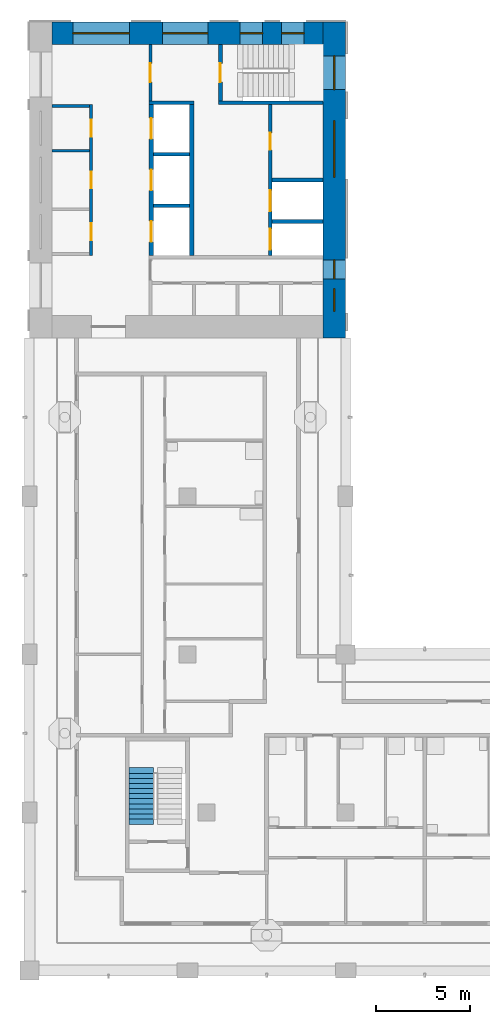
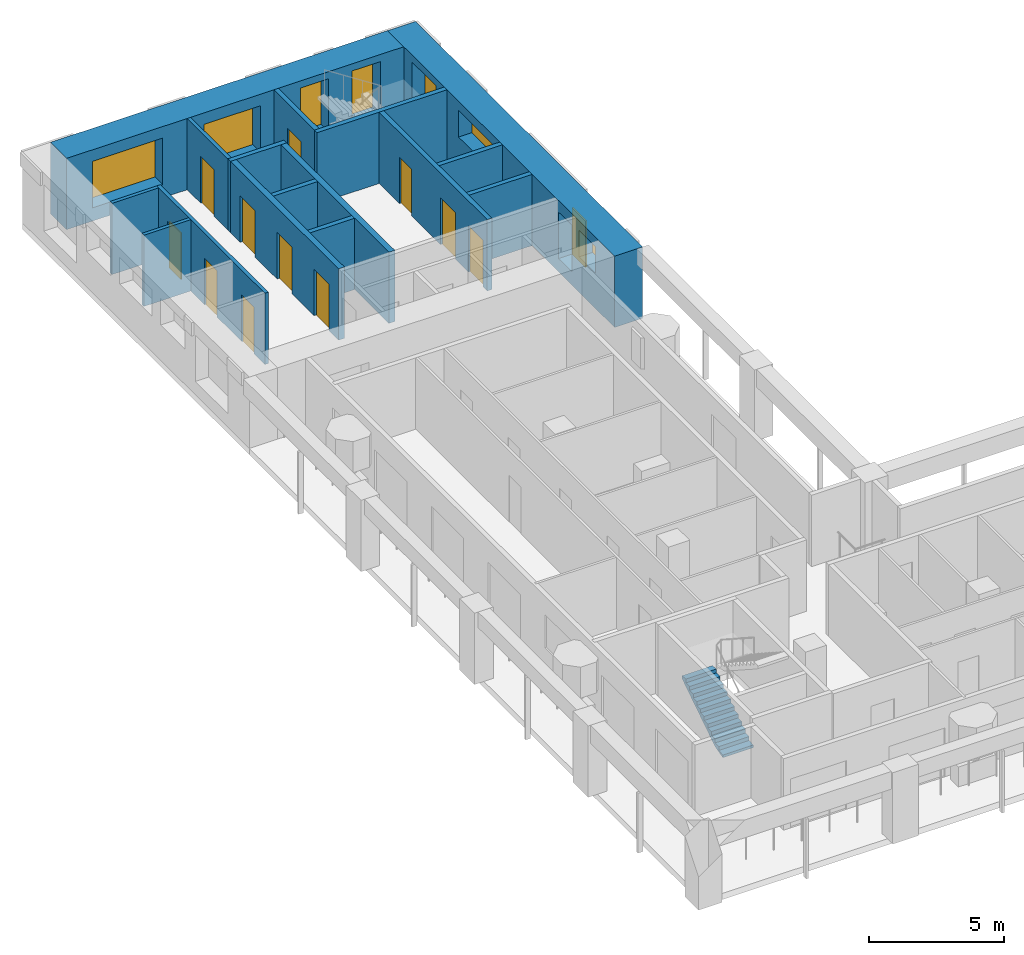
# One storey, part 6 of 12: 16 walls, 11 doors, 8 windows, 1 stair flight, 19 openings, 1 element without a shape of its own.
"""IFC4 building model written with IfcOpenShell, lengths in metres."""

import ifcopenshell
import ifcopenshell.guid

model = None  # the IFC model being written
_history = None  # IfcOwnerHistory: only IFC2X3 demands one
_inside = {}  # id of a spatial element -> (the spatial element, [elements in it])
_under = {}  # id of a project, library or spatial element -> (it, [spatial elements below it])
_declared = {}  # id of a project -> (the project, [libraries it declares])
_typed = {}  # id of a type object -> (the type object, [elements of that type])
_made_of = {}  # id of a material, layer set ... -> (it, [elements and type objects made of it])


def new_model(schema):
    """Start an empty IFC model of exactly this schema.

    Asked for "IFC4X3", IfcOpenShell would pick the latest addendum, in which some entities
    have other attributes; the version numbers below select the first issue.
    IFC2X3 requires an IfcOwnerHistory on every rooted entity: one is made here for all.
    """
    global model, _history
    if schema == "IFC4X3":
        model = ifcopenshell.file(schema_version=(4, 3, 0, 0))
    else:
        model = ifcopenshell.file(schema=schema)
    _inside.clear()
    _under.clear()
    _declared.clear()
    _typed.clear()
    _made_of.clear()
    _history = None
    if model.schema == "IFC2X3":
        org = make("IfcOrganization", Name="unknown")
        user = make(
            "IfcPersonAndOrganization",
            ThePerson=make("IfcPerson", FamilyName="unknown"),
            TheOrganization=org,
        )
        app = make(
            "IfcApplication",
            ApplicationDeveloper=org,
            Version="unknown",
            ApplicationFullName="unknown",
            ApplicationIdentifier="unknown",
        )
        _history = make(
            "IfcOwnerHistory",
            OwningUser=user,
            OwningApplication=app,
            ChangeAction="ADDED",
            CreationDate=0,
        )
    return model


def make(cls, **values):
    """One entity of the class cls with the attributes given. An attribute that is None is left unset."""
    return model.create_entity(
        cls, **{name: value for name, value in values.items() if value is not None}
    )


def rooted(cls, **values):
    """An entity with a GlobalId (a new one), such as an element, a storey or a relation."""
    return make(cls, GlobalId=ifcopenshell.guid.new(), OwnerHistory=_history, **values)


def si_unit(unit_type, name, prefix=None):
    """IfcSIUnit, for example si_unit("LENGTHUNIT", "METRE", prefix="MILLI")."""
    return make("IfcSIUnit", UnitType=unit_type, Prefix=prefix, Name=name)


def assignment(units):
    """IfcUnitAssignment: the units of a project."""
    return None if units is None else make("IfcUnitAssignment", Units=units)


def point(xyz):
    """IfcCartesianPoint."""
    return None if xyz is None else make("IfcCartesianPoint", Coordinates=xyz)


def direction(xyz):
    """IfcDirection."""
    return None if xyz is None else make("IfcDirection", DirectionRatios=xyz)


def frame(location, z_axis=None, x_axis=None):
    """IfcAxis2Placement3D, a coordinate frame: its origin and axes. An axis left out is left unset."""
    return make(
        "IfcAxis2Placement3D",
        Location=point(location),
        Axis=direction(z_axis),
        RefDirection=direction(x_axis),
    )


def frame_2d(location, x_axis=None):
    """IfcAxis2Placement2D, a coordinate frame in the plane: its origin and x axis."""
    return make(
        "IfcAxis2Placement2D", Location=point(location), RefDirection=direction(x_axis)
    )


def origin():
    """The frame at (0, 0, 0) with its axes left unset."""
    return frame((0.0, 0.0, 0.0))


def place(relative_to, where):
    """IfcLocalPlacement: puts the frame where relative to a parent placement (None: the world)."""
    return make(
        "IfcLocalPlacement", PlacementRelTo=relative_to, RelativePlacement=where
    )


def context(
    kind, dimensions, precision=None, world=None, true_north=None, identifier=None
):
    """IfcGeometricRepresentationContext, for example the 3D "Model" context."""
    return make(
        "IfcGeometricRepresentationContext",
        ContextIdentifier=identifier,
        ContextType=kind,
        CoordinateSpaceDimension=dimensions,
        Precision=precision,
        WorldCoordinateSystem=world,
        TrueNorth=true_north,
    )


def subcontext(parent, identifier, kind, view, scale=None):
    """IfcGeometricRepresentationSubContext, for example "Body" below "Model"."""
    return make(
        "IfcGeometricRepresentationSubContext",
        ContextIdentifier=identifier,
        ContextType=kind,
        ParentContext=parent,
        TargetScale=scale,
        TargetView=view,
    )


def project(units=None, contexts=None):
    """IfcProject with its units and contexts."""
    return rooted(
        "IfcProject",
        Name="project",
        RepresentationContexts=contexts,
        UnitsInContext=assignment(units),
    )


def spatial(cls, under=None, at=None, **own):
    """A site, building, storey or space (cls), placed at a placement, below another one or the project."""
    s = rooted(cls, ObjectPlacement=at, **own)
    if under is not None:
        _under.setdefault(under.id(), (under, []))[1].append(s)
    return s


def polyline(points):
    """IfcPolyline through the points."""
    return make("IfcPolyline", Points=[point(p) for p in points])


def profile(cls, at=None, kind="AREA", **sizes):
    """A parametric profile (cls). Its sizes go by their IFC names, for example OverallWidth=200.0."""
    return make(cls, ProfileType=kind, Position=at, **sizes)


def rectangle(**sizes):
    """IfcRectangleProfileDef."""
    return profile("IfcRectangleProfileDef", **sizes)


def outline(outer, holes=None, kind="AREA"):
    """IfcArbitraryClosedProfileDef: a profile drawn as a closed curve; with holes, ...WithVoids."""
    if holes is None:
        return make("IfcArbitraryClosedProfileDef", ProfileType=kind, OuterCurve=outer)
    return make(
        "IfcArbitraryProfileDefWithVoids",
        ProfileType=kind,
        OuterCurve=outer,
        InnerCurves=holes,
    )


def extrude(swept, where, along, depth):
    """IfcExtrudedAreaSolid: the profile swept, set in the frame where, extruded along a direction by depth."""
    return make(
        "IfcExtrudedAreaSolid",
        SweptArea=swept,
        Position=where,
        ExtrudedDirection=direction(along),
        Depth=depth,
    )


def shape(context_of_items, identifier, shape_type, items):
    """IfcShapeRepresentation: the items that make up one representation, for example the "Body"."""
    return make(
        "IfcShapeRepresentation",
        ContextOfItems=context_of_items,
        RepresentationIdentifier=identifier,
        RepresentationType=shape_type,
        Items=items,
    )


def material(Name=None, Category=None):
    """IfcMaterial."""
    return make("IfcMaterial", Name=Name, Category=Category)


def layer(
    of_material, thickness, ventilated=None, Name=None, Category=None, Priority=None
):
    """IfcMaterialLayer: one layer of a wall or slab, of a material (None: an air gap)."""
    return make(
        "IfcMaterialLayer",
        Material=of_material,
        LayerThickness=thickness,
        IsVentilated=ventilated,
        Name=Name,
        Category=Category,
        Priority=Priority,
    )


def layer_set(layers, Name=None):
    """IfcMaterialLayerSet."""
    return make("IfcMaterialLayerSet", MaterialLayers=layers, LayerSetName=Name)


def made_of(thing, what):
    """Note that an element or type object is made of a material, layer set ...; save() writes the relation."""
    if what is not None:
        _made_of.setdefault(what.id(), (what, []))[1].append(thing)
    return thing


def type_object(cls, material=None, **own):
    """A type object (cls), such as IfcWallType, which elements share."""
    return made_of(rooted(cls, **own), material)


def element(
    cls,
    number,
    at=None,
    inside=None,
    cuts=None,
    type_object=None,
    material=None,
    context=None,
    identifier="Body",
    shape_type=None,
    held_by="IfcProductDefinitionShape",
    body=None,
    shapes=None,
    **own,
):
    """One element of the class cls, such as IfcWall. Its Tag is "e" and its number.

    at: its placement. inside: the storey or other place that contains it. cuts: it is an
    opening in that element (IfcRelVoidsElement). A single representation is given by context,
    identifier, shape_type and body (its items); several are given by shapes. held_by: the class
    of the entity that holds the representations. save() writes the other relations.
    """
    e = rooted(cls, Tag="e%d" % number, ObjectPlacement=at, **own)
    if body is not None:
        shapes = [shape(context, identifier, shape_type, body)]
    if shapes is not None:
        e.Representation = make(held_by, Representations=shapes)
    if inside is not None:
        _inside.setdefault(inside.id(), (inside, []))[1].append(e)
    if cuts is not None:
        rooted(
            "IfcRelVoidsElement", RelatingBuildingElement=cuts, RelatedOpeningElement=e
        )
    if type_object is not None:
        _typed.setdefault(type_object.id(), (type_object, []))[1].append(e)
    return made_of(e, material)


def fill(opening, filler):
    """IfcRelFillsElement: the door or window that sits in an opening."""
    return rooted(
        "IfcRelFillsElement",
        RelatingOpeningElement=opening,
        RelatedBuildingElement=filler,
    )


def aggregate(whole, parts):
    """IfcRelAggregates: a whole, such as a stair, and the parts it consists of."""
    return rooted("IfcRelAggregates", RelatingObject=whole, RelatedObjects=parts)


def save(model, path):
    """Write the relations noted so far, then the file.

    IfcRelAggregates (storeys below a building ...), IfcRelContainedInSpatialStructure (elements
    in a storey), IfcRelDefinesByType, IfcRelAssociatesMaterial and IfcRelDeclares: one each for
    every whole, place, type object, material and project.
    """
    for whole, parts in _under.values():
        aggregate(whole, parts)
    for where, things in _inside.values():
        rooted(
            "IfcRelContainedInSpatialStructure",
            RelatedElements=things,
            RelatingStructure=where,
        )
    for kind, things in _typed.values():
        rooted("IfcRelDefinesByType", RelatedObjects=things, RelatingType=kind)
    for what, things in _made_of.values():
        rooted("IfcRelAssociatesMaterial", RelatedObjects=things, RelatingMaterial=what)
    for by, libraries in _declared.values():
        rooted("IfcRelDeclares", RelatingContext=by, RelatedDefinitions=libraries)
    model.write(path)


model = new_model("IFC4")

# Units and contexts
model_context = context("Model", 3, precision=1e-05, world=origin(), true_north=direction((0.0, 1.0)))
body_context = subcontext(model_context, "Body", "Model", "MODEL_VIEW")
ifc_project = project(units=[si_unit("LENGTHUNIT", "METRE"), si_unit("AREAUNIT", "SQUARE_METRE"), si_unit("VOLUMEUNIT", "CUBIC_METRE"), si_unit("PLANEANGLEUNIT", "RADIAN"), si_unit("MASSUNIT", "GRAM", prefix="KILO")], contexts=[model_context])

# Site, building, storey
site_placement = place(None, origin())
site = spatial("IfcSite", under=ifc_project, at=site_placement, CompositionType="ELEMENT")
building_placement = place(site_placement, origin())
building = spatial("IfcBuilding", under=site, at=building_placement, Name="Vermilion Gate Residences", CompositionType="ELEMENT")
storey_placement = place(building_placement, frame((0.0, 0.0, 242.199951171875)))
storey = spatial("IfcBuildingStorey", under=building, at=storey_placement, Name="L63", CompositionType="ELEMENT", Elevation=242.199951171875)

# Walls
ifc_material_1 = material(Name="Masonry blockwork", Category="masonry")
ifc_layer_1 = layer(ifc_material_1, 0.14990234375)
ifc_layer_set_1 = layer_set([ifc_layer_1], Name="BLOCKWORK PARTITION 150 EI 120")
wall_type_1 = type_object("IfcWallType", Name="BLOCKWORK PARTITION 150 EI 120", PredefinedType="PARTITIONING", material=ifc_layer_set_1)
for number, where, z_axis, x_axis, name in (
    (1, (9.60009765625, 54.324951171875, 0.0), (0.0, 0.0, 1.0), (1.0, 0.0, 0.0), "Core room partition B63-RW-W"),
    (2, (9.60009765625, 51.955078125, 0.0), (0.0, 0.0, 1.0), (1.0, 0.0, 0.0), "Core room partition B63-SR-P0"),
):
    element("IfcWall", number, at=place(storey_placement, frame(where, z_axis=z_axis, x_axis=x_axis)), inside=storey, type_object=wall_type_1, Name=name, PredefinedType="PARTITIONING", context=body_context, shape_type="SweptSolid", body=[
        extrude(rectangle(XDim=2.0, YDim=0.14990234375, at=frame_2d((1.0, 0.0))), origin(), (0.0, 0.0, 1.0), 3.219970703125),
    ])

# Wall, openings, doors
wall_1_placement = place(storey_placement, frame((11.675048828125, 54.39990234375, 0.0), z_axis=(0.0, 0.0, 1.0), x_axis=(0.0, -1.0, 0.0)))
wall_1 = element("IfcWall", 3, at=wall_1_placement, inside=storey, type_object=wall_type_1, Name="Core room partition B63-LR-F", PredefinedType="PARTITIONING", context=body_context, shape_type="SweptSolid", body=[
    extrude(rectangle(XDim=8.0, YDim=0.14990234375, at=frame_2d((4.0, 0.0))), origin(), (0.0, 0.0, 1.0), 3.219970703125),
])
opening_1_placement = place(wall_1_placement, frame((0.81005859375, 0.0, 0.0)))
opening_1 = element("IfcOpeningElement", 4, at=opening_1_placement, cuts=wall_1, Name="Opening DK63102", PredefinedType="OPENING", context=body_context, shape_type="SweptSolid", body=[
    extrude(rectangle(XDim=0.89990234375, YDim=2.10009765625, at=frame_2d((0.449951171875, 1.050048828125))), frame((0.0, 0.0849609375, 0.0), z_axis=(0.0, -1.0, 0.0), x_axis=(1.0, 0.0, 0.0)), (0.0, 0.0, 1.0), 0.169921875),
])
opening_2_placement = place(wall_1_placement, frame((3.550048828125, 0.0, 0.0)))
opening_2 = element("IfcOpeningElement", 5, at=opening_2_placement, cuts=wall_1, Name="Opening DK63103", PredefinedType="OPENING", context=body_context, shape_type="SweptSolid", body=[
    extrude(rectangle(XDim=0.89990234375, YDim=2.10009765625, at=frame_2d((0.449951171875, 1.050048828125))), frame((0.0, 0.0849609375, 0.0), z_axis=(0.0, -1.0, 0.0), x_axis=(1.0, 0.0, 0.0)), (0.0, 0.0, 1.0), 0.169921875),
])
opening_3_placement = place(wall_1_placement, frame((6.2900390625, 0.0, 0.0)))
opening_3 = element("IfcOpeningElement", 6, at=opening_3_placement, cuts=wall_1, Name="Opening DK63104", PredefinedType="OPENING", context=body_context, shape_type="SweptSolid", body=[
    extrude(rectangle(XDim=0.89990234375, YDim=2.10009765625, at=frame_2d((0.449951171875, 1.050048828125))), frame((0.0, 0.0849609375, 0.0), z_axis=(0.0, -1.0, 0.0), x_axis=(1.0, 0.0, 0.0)), (0.0, 0.0, 1.0), 0.169921875),
])
ifc_material_2 = material(Name="Steel", Category="steel")
door_type_1 = type_object("IfcDoorType", Name="SERVICE ROOM DOOR FD60 900 X 2100", OperationType="SINGLE_SWING_LEFT", PredefinedType="DOOR", material=ifc_material_2)
door_1_placement = place(opening_1_placement, origin())
door_1 = element("IfcDoor", 7, at=door_1_placement, inside=storey, type_object=door_type_1, Name="Electrical room B63", OperationType="SINGLE_SWING_LEFT", OverallHeight=2.10009765625, OverallWidth=0.89990234375, PredefinedType="DOOR", context=body_context, shape_type="SweptSolid", body=[
    extrude(rectangle(XDim=0.89990234375, YDim=2.10009765625, at=frame_2d((0.449951171875, 1.050048828125))), frame((0.0, 0.02490234375, 0.0), z_axis=(0.0, -1.0, 0.0), x_axis=(1.0, 0.0, 0.0)), (0.0, 0.0, 1.0), 0.050048828125),
])
fill(opening_1, door_1)
door_2_placement = place(opening_2_placement, frame((0.89990234375, 0.0, 0.0), z_axis=(0.0, 0.0, 1.0), x_axis=(-1.0, 0.0, 0.0)))
door_2 = element("IfcDoor", 8, at=door_2_placement, inside=storey, type_object=door_type_1, Name="Communications room B63", OperationType="SINGLE_SWING_RIGHT", OverallHeight=2.10009765625, OverallWidth=0.89990234375, PredefinedType="DOOR", context=body_context, shape_type="SweptSolid", body=[
    extrude(rectangle(XDim=0.89990234375, YDim=2.10009765625, at=frame_2d((0.449951171875, 1.050048828125))), frame((0.0, 0.02490234375, 0.0), z_axis=(0.0, -1.0, 0.0), x_axis=(1.0, 0.0, 0.0)), (0.0, 0.0, 1.0), 0.050048828125),
])
fill(opening_2, door_2)
door_3_placement = place(opening_3_placement, frame((0.89990234375, 0.0, 0.0), z_axis=(0.0, 0.0, 1.0), x_axis=(-1.0, 0.0, 0.0)))
door_3 = element("IfcDoor", 9, at=door_3_placement, inside=storey, type_object=door_type_1, Name="Refuse room B63", OperationType="SINGLE_SWING_RIGHT", OverallHeight=2.10009765625, OverallWidth=0.89990234375, PredefinedType="DOOR", context=body_context, shape_type="SweptSolid", body=[
    extrude(rectangle(XDim=0.89990234375, YDim=2.10009765625, at=frame_2d((0.449951171875, 1.050048828125))), frame((0.0, 0.02490234375, 0.0), z_axis=(0.0, -1.0, 0.0), x_axis=(1.0, 0.0, 0.0)), (0.0, 0.0, 1.0), 0.050048828125),
])
fill(opening_3, door_3)

# Wall, opening, door
wall_2_placement = place(storey_placement, frame((14.824951171875, 57.60009765625, 0.0), z_axis=(0.0, 0.0, 1.0), x_axis=(0.0, -1.0, 0.0)))
wall_2 = element("IfcWall", 10, at=wall_2_placement, inside=storey, type_object=wall_type_1, Name="Core room partition B63-VW-S", PredefinedType="PARTITIONING", context=body_context, shape_type="SweptSolid", body=[
    extrude(rectangle(XDim=3.0, YDim=0.14990234375, at=frame_2d((1.5, 0.0))), origin(), (0.0, 0.0, 1.0), 3.219970703125),
])
opening_4_placement = place(wall_2_placement, frame((1.0, 0.0, 0.0)))
opening_4 = element("IfcOpeningElement", 11, at=opening_4_placement, cuts=wall_2, Name="Opening DK63111", PredefinedType="OPENING", context=body_context, shape_type="SweptSolid", body=[
    extrude(rectangle(XDim=1.0, YDim=2.10009765625, at=frame_2d((0.5, 1.050048828125))), frame((0.0, 0.0849609375, 0.0), z_axis=(0.0, -1.0, 0.0), x_axis=(1.0, 0.0, 0.0)), (0.0, 0.0, 1.0), 0.169921875),
])
ifc_material_3 = material(Name="Steel", Category="steel")
door_type_2 = type_object("IfcDoorType", Name="FIRE DOOR FD60 1000 X 2100", OperationType="SINGLE_SWING_LEFT", PredefinedType="DOOR", material=ifc_material_3)
door_4_placement = place(opening_4_placement, frame((1.0, 0.0, 0.0), z_axis=(0.0, 0.0, 1.0), x_axis=(-1.0, 0.0, 0.0)))
door_4 = element("IfcDoor", 12, at=door_4_placement, inside=storey, type_object=door_type_2, Name="Stair vestibule door B63", OperationType="SINGLE_SWING_RIGHT", OverallHeight=2.10009765625, OverallWidth=1.0, PredefinedType="DOOR", context=body_context, shape_type="SweptSolid", body=[
    extrude(rectangle(XDim=1.0, YDim=2.10009765625, at=frame_2d((0.5, 1.050048828125))), frame((0.0, 0.02490234375, 0.0), z_axis=(0.0, -1.0, 0.0), x_axis=(1.0, 0.0, 0.0)), (0.0, 0.0, 1.0), 0.050048828125),
])
fill(opening_4, door_4)

# Walls
ifc_material_4 = material(Name="Concrete C60", Category="concrete")
ifc_layer_2 = layer(ifc_material_4, 0.199951171875)
ifc_layer_set_2 = layer_set([ifc_layer_2], Name="RC CORE INTERNAL WALL 200 C60")
wall_type_2 = type_object("IfcWallType", Name="RC CORE INTERNAL WALL 200 C60", PredefinedType="SHEAR", material=ifc_layer_set_2)
for number, where, z_axis, x_axis, name in (
    (13, (15.0, 51.7666015625, 0.0), (0.0, 0.0, 1.0), (1.0, 0.0, 0.0), "Core internal wall B63-HR-D1"),
    (14, (15.0, 49.033447265625, 0.0), (0.0, 0.0, 1.0), (1.0, 0.0, 0.0), "Core internal wall B63-HR-D2"),
):
    element("IfcWall", number, at=place(storey_placement, frame(where, z_axis=z_axis, x_axis=x_axis)), inside=storey, type_object=wall_type_2, Name=name, PredefinedType="SHEAR", context=body_context, shape_type="SweptSolid", body=[
        extrude(rectangle(XDim=1.89990234375, YDim=0.199951171875, at=frame_2d((0.949951171875, 0.0))), origin(), (0.0, 0.0, 1.0), 3.219970703125),
    ])
for number, where, z_axis, x_axis, name in (
    (15, (21.300048828125, 50.39990234375, 0.0), (0.0, 0.0, 1.0), (1.0, 0.0, 0.0), "Core internal wall B63-FF-D0"),
    (16, (21.300048828125, 48.199951171875, 0.0), (0.0, 0.0, 1.0), (1.0, 0.0, 0.0), "Core internal wall B63-FF-D1"),
):
    element("IfcWall", number, at=place(storey_placement, frame(where, z_axis=z_axis, x_axis=x_axis)), inside=storey, type_object=wall_type_2, Name=name, PredefinedType="SHEAR", context=body_context, shape_type="SweptSolid", body=[
        extrude(rectangle(XDim=2.699951171875, YDim=0.199951171875, at=frame_2d((1.35009765625, 0.0))), origin(), (0.0, 0.0, 1.0), 3.219970703125),
    ])

# Wall, openings, doors
wall_3_placement = place(storey_placement, frame((21.199951171875, 54.39990234375, 0.0), z_axis=(0.0, 0.0, 1.0), x_axis=(0.0, -1.0, 0.0)))
wall_3 = element("IfcWall", 17, at=wall_3_placement, inside=storey, type_object=wall_type_2, Name="Core internal wall B63-FF-F", PredefinedType="SHEAR", context=body_context, shape_type="SweptSolid", body=[
    extrude(rectangle(XDim=8.0, YDim=0.199951171875, at=frame_2d((4.0, 0.0))), origin(), (0.0, 0.0, 1.0), 3.219970703125),
])
opening_5_placement = place(wall_3_placement, frame((1.5, 0.0, 0.0)))
opening_5 = element("IfcOpeningElement", 18, at=opening_5_placement, cuts=wall_3, Name="Opening DK63108", PredefinedType="OPENING", context=body_context, shape_type="SweptSolid", body=[
    extrude(rectangle(XDim=0.89990234375, YDim=2.10009765625, at=frame_2d((0.449951171875, 1.050048828125))), frame((0.0, 0.10986328125, 0.0), z_axis=(0.0, -1.0, 0.0), x_axis=(1.0, 0.0, 0.0)), (0.0, 0.0, 1.0), 0.219970703125),
])
opening_6_placement = place(wall_3_placement, frame((4.550048828125, 0.0, 0.0)))
opening_6 = element("IfcOpeningElement", 19, at=opening_6_placement, cuts=wall_3, Name="Opening LD", PredefinedType="OPENING", context=body_context, shape_type="SweptSolid", body=[
    extrude(rectangle(XDim=1.10009765625, YDim=2.10009765625, at=frame_2d((0.550048828125, 1.050048828125))), frame((0.0, 0.10986328125, 0.0), z_axis=(0.0, -1.0, 0.0), x_axis=(1.0, 0.0, 0.0)), (0.0, 0.0, 1.0), 0.219970703125),
])
opening_7_placement = place(wall_3_placement, frame((6.60009765625, 0.0, 0.0)))
opening_7 = element("IfcOpeningElement", 20, at=opening_7_placement, cuts=wall_3, Name="Opening LD", PredefinedType="OPENING", context=body_context, shape_type="SweptSolid", body=[
    extrude(rectangle(XDim=1.10009765625, YDim=2.10009765625, at=frame_2d((0.550048828125, 1.050048828125))), frame((0.0, 0.10986328125, 0.0), z_axis=(0.0, -1.0, 0.0), x_axis=(1.0, 0.0, 0.0)), (0.0, 0.0, 1.0), 0.219970703125),
])
ifc_material_5 = material(Name="Stainless steel", Category="steel")
door_type_3 = type_object("IfcDoorType", Name="LIFT LANDING DOOR E60 1100 X 2100", OperationType="DOUBLE_DOOR_SLIDING", PredefinedType="DOOR", material=ifc_material_5)
door_5_placement = place(opening_6_placement, origin())
door_5 = element("IfcDoor", 21, at=door_5_placement, inside=storey, type_object=door_type_3, Name="Lift landing door LFB1", OperationType="DOUBLE_DOOR_SLIDING", OverallHeight=2.10009765625, OverallWidth=1.10009765625, PredefinedType="DOOR", context=body_context, shape_type="SweptSolid", body=[
    extrude(rectangle(XDim=1.10009765625, YDim=2.10009765625, at=frame_2d((0.550048828125, 1.050048828125))), frame((0.0, 0.02490234375, 0.0), z_axis=(0.0, -1.0, 0.0), x_axis=(1.0, 0.0, 0.0)), (0.0, 0.0, 1.0), 0.050048828125),
])
fill(opening_6, door_5)
door_6_placement = place(opening_7_placement, origin())
door_6 = element("IfcDoor", 22, at=door_6_placement, inside=storey, type_object=door_type_3, Name="Lift landing door LCB1", OperationType="DOUBLE_DOOR_SLIDING", OverallHeight=2.10009765625, OverallWidth=1.10009765625, PredefinedType="DOOR", context=body_context, shape_type="SweptSolid", body=[
    extrude(rectangle(XDim=1.10009765625, YDim=2.10009765625, at=frame_2d((0.550048828125, 1.050048828125))), frame((0.0, 0.02490234375, 0.0), z_axis=(0.0, -1.0, 0.0), x_axis=(1.0, 0.0, 0.0)), (0.0, 0.0, 1.0), 0.050048828125),
])
fill(opening_7, door_6)
door_7_placement = place(opening_5_placement, origin())
door_7 = element("IfcDoor", 23, at=door_7_placement, inside=storey, type_object=door_type_1, Name="Electrical riser B63", OperationType="SINGLE_SWING_LEFT", OverallHeight=2.10009765625, OverallWidth=0.89990234375, PredefinedType="DOOR", context=body_context, shape_type="SweptSolid", body=[
    extrude(rectangle(XDim=0.89990234375, YDim=2.10009765625, at=frame_2d((0.449951171875, 1.050048828125))), frame((0.0, 0.02490234375, 0.0), z_axis=(0.0, -1.0, 0.0), x_axis=(1.0, 0.0, 0.0)), (0.0, 0.0, 1.0), 0.050048828125),
])
fill(opening_5, door_7)

# Walls
wall_4_placement = place(storey_placement, frame((14.75, 54.5, 0.0), z_axis=(0.0, 0.0, 1.0), x_axis=(1.0, 0.0, 0.0)))
element("IfcWall", 24, at=wall_4_placement, inside=storey, type_object=wall_type_2, Name="Core internal wall B63-WDIV1", PredefinedType="SHEAR", context=body_context, shape_type="SweptSolid", body=[
    extrude(rectangle(XDim=2.39990234375, YDim=0.199951171875, at=frame_2d((1.199951171875, 0.0))), origin(), (0.0, 0.0, 1.0), 3.219970703125),
])
wall_5_placement = place(storey_placement, frame((18.449951171875, 54.5, 0.0), z_axis=(0.0, 0.0, 1.0), x_axis=(1.0, 0.0, 0.0)))
element("IfcWall", 25, at=wall_5_placement, inside=storey, type_object=wall_type_2, Name="Core internal wall B63-WDIV2", PredefinedType="SHEAR", context=body_context, shape_type="SweptSolid", body=[
    extrude(rectangle(XDim=5.550048828125, YDim=0.199951171875, at=frame_2d((2.77490234375, 0.0))), origin(), (0.0, 0.0, 1.0), 3.219970703125),
])

# Wall, opening, door
wall_6_placement = place(storey_placement, frame((18.550048828125, 57.60009765625, 0.0), z_axis=(0.0, 0.0, 1.0), x_axis=(0.0, -1.0, 0.0)))
wall_6 = element("IfcWall", 26, at=wall_6_placement, inside=storey, type_object=wall_type_2, Name="Core internal wall B63-STW-S", PredefinedType="SHEAR", context=body_context, shape_type="SweptSolid", body=[
    extrude(rectangle(XDim=3.0, YDim=0.199951171875, at=frame_2d((1.5, 0.0))), origin(), (0.0, 0.0, 1.0), 3.219970703125),
])
opening_8_placement = place(wall_6_placement, frame((1.0, 0.0, 0.0)))
opening_8 = element("IfcOpeningElement", 27, at=opening_8_placement, cuts=wall_6, Name="Opening DK63112", PredefinedType="OPENING", context=body_context, shape_type="SweptSolid", body=[
    extrude(rectangle(XDim=1.0, YDim=2.10009765625, at=frame_2d((0.5, 1.050048828125))), frame((0.0, 0.10986328125, 0.0), z_axis=(0.0, -1.0, 0.0), x_axis=(1.0, 0.0, 0.0)), (0.0, 0.0, 1.0), 0.219970703125),
])
door_8_placement = place(opening_8_placement, origin())
door_8 = element("IfcDoor", 28, at=door_8_placement, inside=storey, type_object=door_type_2, Name="Stair door B63", OperationType="SINGLE_SWING_LEFT", OverallHeight=2.10009765625, OverallWidth=1.0, PredefinedType="DOOR", context=body_context, shape_type="SweptSolid", body=[
    extrude(rectangle(XDim=1.0, YDim=2.10009765625, at=frame_2d((0.5, 1.050048828125))), frame((0.0, 0.02490234375, 0.0), z_axis=(0.0, -1.0, 0.0), x_axis=(1.0, 0.0, 0.0)), (0.0, 0.0, 1.0), 0.050048828125),
])
fill(opening_8, door_8)

# Wall, openings, windows
ifc_material_6 = material(Name="Concrete C50 red-oxide pigmented", Category="concrete")
ifc_layer_3 = layer(ifc_material_6, 1.199951171875)
ifc_layer_set_3 = layer_set([ifc_layer_3], Name="RC CORE WALL 1200 C50 RED OXIDE")
wall_type_3 = type_object("IfcWallType", Name="RC CORE WALL 1200 C50 RED OXIDE", PredefinedType="SHEAR", material=ifc_layer_set_3)
wall_7_placement = place(storey_placement, frame((24.60009765625, 58.800048828125, 0.0), z_axis=(0.0, 0.0, 1.0), x_axis=(0.0, -1.0, 0.0)))
wall_7 = element("IfcWall", 29, at=wall_7_placement, inside=storey, type_object=wall_type_3, Name="Core wall B63-OUT-B1", PredefinedType="SHEAR", context=body_context, shape_type="SweptSolid", body=[
    extrude(rectangle(XDim=16.800048828125, YDim=1.199951171875, at=frame_2d((8.39990234375, 0.0))), origin(), (0.0, 0.0, 1.0), 3.219970703125),
])
opening_9_placement = place(wall_7_placement, frame((1.800048828125, 0.0, 0.5)))
opening_9 = element("IfcOpeningElement", 30, at=opening_9_placement, cuts=wall_7, Name="Opening WKB6306", PredefinedType="OPENING", context=body_context, shape_type="SweptSolid", body=[
    extrude(rectangle(XDim=1.800048828125, YDim=2.39990234375, at=frame_2d((0.89990234375, 1.199951171875))), frame((0.0, 0.60986328125, 0.0), z_axis=(0.0, -1.0, 0.0), x_axis=(1.0, 0.0, 0.0)), (0.0, 0.0, 1.0), 1.219970703125),
])
opening_10_placement = place(wall_7_placement, frame((5.25, 0.0, 1.60009765625)))
opening_10 = element("IfcOpeningElement", 31, at=opening_10_placement, cuts=wall_7, Name="Opening WKB6307", PredefinedType="OPENING", context=body_context, shape_type="SweptSolid", body=[
    extrude(rectangle(XDim=3.0, YDim=1.199951171875, at=frame_2d((1.5, 0.60009765625))), frame((0.0, 0.60986328125, 0.0), z_axis=(0.0, -1.0, 0.0), x_axis=(1.0, 0.0, 0.0)), (0.0, 0.0, 1.0), 1.219970703125),
])
opening_11_placement = place(wall_7_placement, frame((12.64990234375, 0.0, 0.60009765625)))
opening_11 = element("IfcOpeningElement", 32, at=opening_11_placement, cuts=wall_7, Name="Opening WKB6308", PredefinedType="OPENING", context=body_context, shape_type="SweptSolid", body=[
    extrude(rectangle(XDim=1.0, YDim=2.10009765625, at=frame_2d((0.5, 1.050048828125))), frame((0.0, 0.60986328125, 0.0), z_axis=(0.0, -1.0, 0.0), x_axis=(1.0, 0.0, 0.0)), (0.0, 0.0, 1.0), 1.219970703125),
])
opening_12_placement = place(wall_7_placement, frame((14.175048828125, 0.0, 1.60009765625)))
opening_12 = element("IfcOpeningElement", 33, at=opening_12_placement, cuts=wall_7, Name="Opening WKB6309", PredefinedType="OPENING", context=body_context, shape_type="SweptSolid", body=[
    extrude(rectangle(XDim=1.199951171875, YDim=1.199951171875, at=frame_2d((0.60009765625, 0.60009765625))), frame((0.0, 0.60986328125, 0.0), z_axis=(0.0, -1.0, 0.0), x_axis=(1.0, 0.0, 0.0)), (0.0, 0.0, 1.0), 1.219970703125),
])
ifc_material_7 = material(Name="Aluminium and clear glass", Category="aluminium")
window_type_1 = type_object("IfcWindowType", Name="CORE CORRIDOR WINDOW 1000 X 2100", PartitioningType="SINGLE_PANEL", PredefinedType="WINDOW", material=ifc_material_7)
window_1_placement = place(opening_11_placement, origin())
window_1 = element("IfcWindow", 34, at=window_1_placement, inside=storey, type_object=window_type_1, Name="Core corridor window", OverallHeight=2.10009765625, OverallWidth=1.0, PartitioningType="SINGLE_PANEL", PredefinedType="WINDOW", context=body_context, shape_type="SweptSolid", body=[
    extrude(rectangle(XDim=1.0, YDim=2.10009765625, at=frame_2d((0.5, 1.050048828125))), frame((0.0, 0.030029296875, 0.0), z_axis=(0.0, -1.0, 0.0), x_axis=(1.0, 0.0, 0.0)), (0.0, 0.0, 1.0), 0.06005859375),
])
fill(opening_11, window_1)
ifc_material_8 = material(Name="Aluminium frame with louvre blades", Category="aluminium")
window_type_2 = type_object("IfcWindowType", Name="CORE LOUVRE 1200 X 1200", PartitioningType="SINGLE_PANEL", PredefinedType="WINDOW", material=ifc_material_8)
window_2_placement = place(opening_12_placement, origin())
window_2 = element("IfcWindow", 35, at=window_2_placement, inside=storey, type_object=window_type_2, Name="Core louvre", OverallHeight=1.199951171875, OverallWidth=1.199951171875, PartitioningType="SINGLE_PANEL", PredefinedType="WINDOW", context=body_context, shape_type="SweptSolid", body=[
    extrude(rectangle(XDim=1.199951171875, YDim=1.199951171875, at=frame_2d((0.60009765625, 0.60009765625))), frame((0.0, 0.030029296875, 0.0), z_axis=(0.0, -1.0, 0.0), x_axis=(1.0, 0.0, 0.0)), (0.0, 0.0, 1.0), 0.06005859375),
])
fill(opening_12, window_2)
ifc_material_9 = material(Name="Aluminium frame with louvre blades", Category="aluminium")
window_type_3 = type_object("IfcWindowType", Name="CORE LOUVRE 3000 X 1200", PartitioningType="SINGLE_PANEL", PredefinedType="WINDOW", material=ifc_material_9)
window_3_placement = place(opening_10_placement, origin())
window_3 = element("IfcWindow", 36, at=window_3_placement, inside=storey, type_object=window_type_3, Name="Core louvre", OverallHeight=1.199951171875, OverallWidth=3.0, PartitioningType="SINGLE_PANEL", PredefinedType="WINDOW", context=body_context, shape_type="SweptSolid", body=[
    extrude(rectangle(XDim=3.0, YDim=1.199951171875, at=frame_2d((1.5, 0.60009765625))), frame((0.0, 0.030029296875, 0.0), z_axis=(0.0, -1.0, 0.0), x_axis=(1.0, 0.0, 0.0)), (0.0, 0.0, 1.0), 0.06005859375),
])
fill(opening_10, window_3)
ifc_material_10 = material(Name="Aluminium and clear glass", Category="aluminium")
window_type_4 = type_object("IfcWindowType", Name="CORE STAIR WINDOW 1800 X 2400", PartitioningType="SINGLE_PANEL", PredefinedType="WINDOW", material=ifc_material_10)
window_4_placement = place(opening_9_placement, origin())
window_4 = element("IfcWindow", 37, at=window_4_placement, inside=storey, type_object=window_type_4, Name="Core stair window", OverallHeight=2.39990234375, OverallWidth=1.800048828125, PartitioningType="SINGLE_PANEL", PredefinedType="WINDOW", context=body_context, shape_type="SweptSolid", body=[
    extrude(rectangle(XDim=1.800048828125, YDim=2.39990234375, at=frame_2d((0.89990234375, 1.199951171875))), frame((0.0, 0.030029296875, 0.0), z_axis=(0.0, -1.0, 0.0), x_axis=(1.0, 0.0, 0.0)), (0.0, 0.0, 1.0), 0.06005859375),
])
fill(opening_9, window_4)

wall_8_placement = place(storey_placement, frame((9.60009765625, 58.199951171875, 0.0), z_axis=(0.0, 0.0, 1.0), x_axis=(1.0, 0.0, 0.0)))
wall_8 = element("IfcWall", 38, at=wall_8_placement, inside=storey, type_object=wall_type_3, Name="Core wall B63-OUT-FR", PredefinedType="SHEAR", context=body_context, shape_type="SweptSolid", body=[
    extrude(rectangle(XDim=14.39990234375, YDim=1.199951171875, at=frame_2d((7.199951171875, 0.0))), origin(), (0.0, 0.0, 1.0), 3.219970703125),
])
opening_13_placement = place(wall_8_placement, frame((1.10498046875, 0.0, 0.60009765625)))
opening_13 = element("IfcOpeningElement", 39, at=opening_13_placement, cuts=wall_8, Name="Opening WKB6310", PredefinedType="OPENING", context=body_context, shape_type="SweptSolid", body=[
    extrude(rectangle(XDim=3.0, YDim=2.10009765625, at=frame_2d((1.5, 1.050048828125))), frame((0.0, 0.60986328125, 0.0), z_axis=(0.0, -1.0, 0.0), x_axis=(1.0, 0.0, 0.0)), (0.0, 0.0, 1.0), 1.219970703125),
])
opening_14_placement = place(wall_8_placement, frame((5.875, 0.0, 0.60009765625)))
opening_14 = element("IfcOpeningElement", 40, at=opening_14_placement, cuts=wall_8, Name="Opening WKB6311", PredefinedType="OPENING", context=body_context, shape_type="SweptSolid", body=[
    extrude(rectangle(XDim=2.39990234375, YDim=2.10009765625, at=frame_2d((1.199951171875, 1.050048828125))), frame((0.0, 0.60986328125, 0.0), z_axis=(0.0, -1.0, 0.0), x_axis=(1.0, 0.0, 0.0)), (0.0, 0.0, 1.0), 1.219970703125),
])
opening_15_placement = place(wall_8_placement, frame((9.993408203125, 0.0, 0.5)))
opening_15 = element("IfcOpeningElement", 41, at=opening_15_placement, cuts=wall_8, Name="Opening WKB6312", PredefinedType="OPENING", context=body_context, shape_type="SweptSolid", body=[
    extrude(rectangle(XDim=1.199951171875, YDim=2.39990234375, at=frame_2d((0.60009765625, 1.199951171875))), frame((0.0, 0.60986328125, 0.0), z_axis=(0.0, -1.0, 0.0), x_axis=(1.0, 0.0, 0.0)), (0.0, 0.0, 1.0), 1.219970703125),
])
opening_16_placement = place(wall_8_placement, frame((12.19677734375, 0.0, 0.5)))
opening_16 = element("IfcOpeningElement", 42, at=opening_16_placement, cuts=wall_8, Name="Opening WKB6313", PredefinedType="OPENING", context=body_context, shape_type="SweptSolid", body=[
    extrude(rectangle(XDim=1.199951171875, YDim=2.39990234375, at=frame_2d((0.60009765625, 1.199951171875))), frame((0.0, 0.60986328125, 0.0), z_axis=(0.0, -1.0, 0.0), x_axis=(1.0, 0.0, 0.0)), (0.0, 0.0, 1.0), 1.219970703125),
])
ifc_material_11 = material(Name="Aluminium and clear glass", Category="aluminium")
window_type_5 = type_object("IfcWindowType", Name="CORE LOBBY WINDOW 2400 X 2100", PartitioningType="SINGLE_PANEL", PredefinedType="WINDOW", material=ifc_material_11)
window_5_placement = place(opening_14_placement, origin())
window_5 = element("IfcWindow", 43, at=window_5_placement, inside=storey, type_object=window_type_5, Name="Core lobby window", OverallHeight=2.10009765625, OverallWidth=2.39990234375, PartitioningType="SINGLE_PANEL", PredefinedType="WINDOW", context=body_context, shape_type="SweptSolid", body=[
    extrude(rectangle(XDim=2.39990234375, YDim=2.10009765625, at=frame_2d((1.199951171875, 1.050048828125))), frame((0.0, 0.030029296875, 0.0), z_axis=(0.0, -1.0, 0.0), x_axis=(1.0, 0.0, 0.0)), (0.0, 0.0, 1.0), 0.06005859375),
])
fill(opening_14, window_5)
ifc_material_12 = material(Name="Aluminium and clear glass", Category="aluminium")
window_type_6 = type_object("IfcWindowType", Name="CORE LOBBY WINDOW 3000 X 2100", PartitioningType="SINGLE_PANEL", PredefinedType="WINDOW", material=ifc_material_12)
window_6_placement = place(opening_13_placement, origin())
window_6 = element("IfcWindow", 44, at=window_6_placement, inside=storey, type_object=window_type_6, Name="Core lobby window", OverallHeight=2.10009765625, OverallWidth=3.0, PartitioningType="SINGLE_PANEL", PredefinedType="WINDOW", context=body_context, shape_type="SweptSolid", body=[
    extrude(rectangle(XDim=3.0, YDim=2.10009765625, at=frame_2d((1.5, 1.050048828125))), frame((0.0, 0.030029296875, 0.0), z_axis=(0.0, -1.0, 0.0), x_axis=(1.0, 0.0, 0.0)), (0.0, 0.0, 1.0), 0.06005859375),
])
fill(opening_13, window_6)
ifc_material_13 = material(Name="Aluminium and clear glass", Category="aluminium")
window_type_7 = type_object("IfcWindowType", Name="CORE STAIR WINDOW 1200 X 2400", PartitioningType="SINGLE_PANEL", PredefinedType="WINDOW", material=ifc_material_13)
window_7_placement = place(opening_15_placement, origin())
window_7 = element("IfcWindow", 45, at=window_7_placement, inside=storey, type_object=window_type_7, Name="Core stair window", OverallHeight=2.39990234375, OverallWidth=1.199951171875, PartitioningType="SINGLE_PANEL", PredefinedType="WINDOW", context=body_context, shape_type="SweptSolid", body=[
    extrude(rectangle(XDim=1.199951171875, YDim=2.39990234375, at=frame_2d((0.60009765625, 1.199951171875))), frame((0.0, 0.030029296875, 0.0), z_axis=(0.0, -1.0, 0.0), x_axis=(1.0, 0.0, 0.0)), (0.0, 0.0, 1.0), 0.06005859375),
])
fill(opening_15, window_7)
window_8_placement = place(opening_16_placement, origin())
window_8 = element("IfcWindow", 46, at=window_8_placement, inside=storey, type_object=window_type_7, Name="Core stair window", OverallHeight=2.39990234375, OverallWidth=1.199951171875, PartitioningType="SINGLE_PANEL", PredefinedType="WINDOW", context=body_context, shape_type="SweptSolid", body=[
    extrude(rectangle(XDim=1.199951171875, YDim=2.39990234375, at=frame_2d((0.60009765625, 1.199951171875))), frame((0.0, 0.030029296875, 0.0), z_axis=(0.0, -1.0, 0.0), x_axis=(1.0, 0.0, 0.0)), (0.0, 0.0, 1.0), 0.06005859375),
])
fill(opening_16, window_8)

# Wall, openings, doors
ifc_material_14 = material(Name="Concrete C60", Category="concrete")
ifc_layer_4 = layer(ifc_material_14, 0.25)
ifc_layer_set_4 = layer_set([ifc_layer_4], Name="RC LIFT SHAFT WALL 250 C60")
wall_type_4 = type_object("IfcWallType", Name="RC LIFT SHAFT WALL 250 C60", PredefinedType="SHEAR", material=ifc_layer_set_4)
wall_9_placement = place(storey_placement, frame((14.875, 54.39990234375, 0.0), z_axis=(0.0, 0.0, 1.0), x_axis=(0.0, -1.0, 0.0)))
wall_9 = element("IfcWall", 47, at=wall_9_placement, inside=storey, type_object=wall_type_4, Name="Lift shaft wall B63-HR-F", PredefinedType="SHEAR", context=body_context, shape_type="SweptSolid", body=[
    extrude(rectangle(XDim=8.0, YDim=0.25, at=frame_2d((4.0, 0.0))), origin(), (0.0, 0.0, 1.0), 3.219970703125),
])
opening_17_placement = place(wall_9_placement, frame((0.716552734375, 0.0, 0.0)))
opening_17 = element("IfcOpeningElement", 48, at=opening_17_placement, cuts=wall_9, Name="Opening LD", PredefinedType="OPENING", context=body_context, shape_type="SweptSolid", body=[
    extrude(rectangle(XDim=1.10009765625, YDim=2.10009765625, at=frame_2d((0.550048828125, 1.050048828125))), frame((0.0, 0.135009765625, 0.0), z_axis=(0.0, -1.0, 0.0), x_axis=(1.0, 0.0, 0.0)), (0.0, 0.0, 1.0), 0.27001953125),
])
opening_18_placement = place(wall_9_placement, frame((3.449951171875, 0.0, 0.0)))
opening_18 = element("IfcOpeningElement", 49, at=opening_18_placement, cuts=wall_9, Name="Opening LD", PredefinedType="OPENING", context=body_context, shape_type="SweptSolid", body=[
    extrude(rectangle(XDim=1.10009765625, YDim=2.10009765625, at=frame_2d((0.550048828125, 1.050048828125))), frame((0.0, 0.135009765625, 0.0), z_axis=(0.0, -1.0, 0.0), x_axis=(1.0, 0.0, 0.0)), (0.0, 0.0, 1.0), 0.27001953125),
])
opening_19_placement = place(wall_9_placement, frame((6.183349609375, 0.0, 0.0)))
opening_19 = element("IfcOpeningElement", 50, at=opening_19_placement, cuts=wall_9, Name="Opening LD", PredefinedType="OPENING", context=body_context, shape_type="SweptSolid", body=[
    extrude(rectangle(XDim=1.10009765625, YDim=2.10009765625, at=frame_2d((0.550048828125, 1.050048828125))), frame((0.0, 0.135009765625, 0.0), z_axis=(0.0, -1.0, 0.0), x_axis=(1.0, 0.0, 0.0)), (0.0, 0.0, 1.0), 0.27001953125),
])
door_9_placement = place(opening_17_placement, origin())
door_9 = element("IfcDoor", 51, at=door_9_placement, inside=storey, type_object=door_type_3, Name="Lift landing door HRB1", OperationType="DOUBLE_DOOR_SLIDING", OverallHeight=2.10009765625, OverallWidth=1.10009765625, PredefinedType="DOOR", context=body_context, shape_type="SweptSolid", body=[
    extrude(rectangle(XDim=1.10009765625, YDim=2.10009765625, at=frame_2d((0.550048828125, 1.050048828125))), frame((0.0, 0.02490234375, 0.0), z_axis=(0.0, -1.0, 0.0), x_axis=(1.0, 0.0, 0.0)), (0.0, 0.0, 1.0), 0.050048828125),
])
fill(opening_17, door_9)
door_10_placement = place(opening_18_placement, origin())
door_10 = element("IfcDoor", 52, at=door_10_placement, inside=storey, type_object=door_type_3, Name="Lift landing door HRB2", OperationType="DOUBLE_DOOR_SLIDING", OverallHeight=2.10009765625, OverallWidth=1.10009765625, PredefinedType="DOOR", context=body_context, shape_type="SweptSolid", body=[
    extrude(rectangle(XDim=1.10009765625, YDim=2.10009765625, at=frame_2d((0.550048828125, 1.050048828125))), frame((0.0, 0.02490234375, 0.0), z_axis=(0.0, -1.0, 0.0), x_axis=(1.0, 0.0, 0.0)), (0.0, 0.0, 1.0), 0.050048828125),
])
fill(opening_18, door_10)
door_11_placement = place(opening_19_placement, origin())
door_11 = element("IfcDoor", 53, at=door_11_placement, inside=storey, type_object=door_type_3, Name="Lift landing door HRB3", OperationType="DOUBLE_DOOR_SLIDING", OverallHeight=2.10009765625, OverallWidth=1.10009765625, PredefinedType="DOOR", context=body_context, shape_type="SweptSolid", body=[
    extrude(rectangle(XDim=1.10009765625, YDim=2.10009765625, at=frame_2d((0.550048828125, 1.050048828125))), frame((0.0, 0.02490234375, 0.0), z_axis=(0.0, -1.0, 0.0), x_axis=(1.0, 0.0, 0.0)), (0.0, 0.0, 1.0), 0.050048828125),
])
fill(opening_19, door_11)

# Wall
wall_10_placement = place(storey_placement, frame((17.02490234375, 54.39990234375, 0.0), z_axis=(0.0, 0.0, 1.0), x_axis=(0.0, -1.0, 0.0)))
element("IfcWall", 54, at=wall_10_placement, inside=storey, type_object=wall_type_4, Name="Lift shaft wall B63-HR-B", PredefinedType="SHEAR", context=body_context, shape_type="SweptSolid", body=[
    extrude(rectangle(XDim=8.0, YDim=0.25, at=frame_2d((4.0, 0.0))), origin(), (0.0, 0.0, 1.0), 3.219970703125),
])

# Stair, stair flight
ifc_material_15 = material(Name="Concrete C50", Category="concrete")
stair_type = type_object("IfcStairType", Name="SPECIAL ESCAPE STAIR 1300", PredefinedType="HALF_TURN_STAIR", material=ifc_material_15)
stair_placement = place(storey_placement, origin())
stair = element("IfcStair", 55, at=stair_placement, inside=storey, type_object=stair_type, Name="Special escape stair STC1-63", PredefinedType="HALF_TURN_STAIR")
ifc_material_16 = material(Name="Concrete C50", Category="concrete")
stair_flight_type = type_object("IfcStairFlightType", Name="STAIR FLIGHT 1300 RC C50", PredefinedType="STRAIGHT", material=ifc_material_16)
stair_flight_placement = place(storey_placement, frame((14.35009765625, 16.449951171875, 0.0), z_axis=(0.0, 0.0, 1.0), x_axis=(0.0, 1.0, 0.0)))
stair_flight = element("IfcStairFlight", 56, at=stair_flight_placement, type_object=stair_flight_type, Name="STC1-63 flight 1", NumberOfRisers=10, NumberOfTreads=9, PredefinedType="STRAIGHT", RiserHeight=0.175, TreadLength=0.27, context=body_context, shape_type="SweptSolid", body=[
    extrude(outline(polyline([(-0.300048828125, -0.14990234375), (-0.300048828125, -0.030029296875), (0.0, 0.0), (0.0, 0.175048828125), (0.27001953125, 0.175048828125), (0.27001953125, 0.35009765625), (0.5400390625, 0.35009765625), (0.5400390625, 0.52490234375), (0.81005859375, 0.52490234375), (0.81005859375, 0.699951171875), (1.080078125, 0.699951171875), (1.080078125, 0.875), (1.35009765625, 0.875), (1.35009765625, 1.050048828125), (1.6201171875, 1.050048828125), (1.6201171875, 1.22509765625), (1.889892578125, 1.22509765625), (1.889892578125, 1.39990234375), (2.159912109375, 1.39990234375), (2.159912109375, 1.574951171875), (2.429931640625, 1.574951171875), (2.429931640625, 1.75), (2.72998046875, 1.719970703125), (2.72998046875, 1.60009765625), (2.429931640625, 1.396484375), (0.275634765625, 0.0), (-0.300048828125, -0.14990234375)])), frame((0.0, 0.64990234375, 0.0), z_axis=(0.0, -1.0, 0.0), x_axis=(1.0, 0.0, 0.0)), (0.0, 0.0, 1.0), 1.300048828125),
])
aggregate(stair, [stair_flight])

save(model, "model.ifc")
